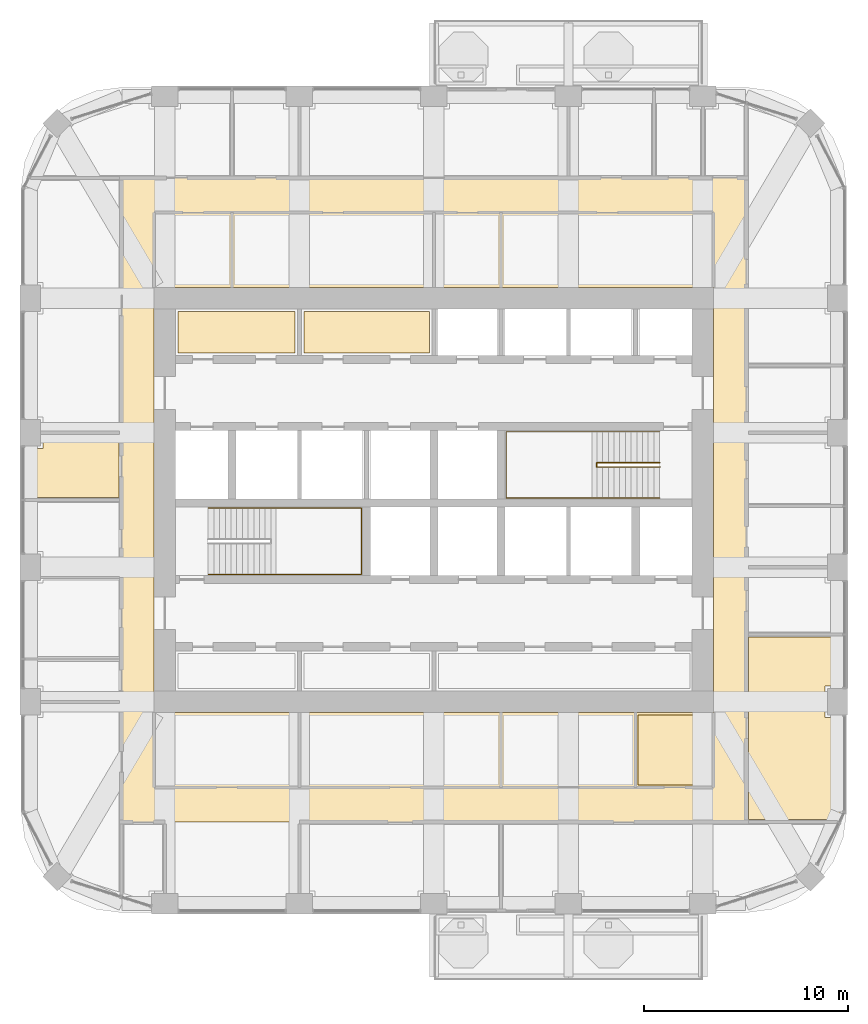
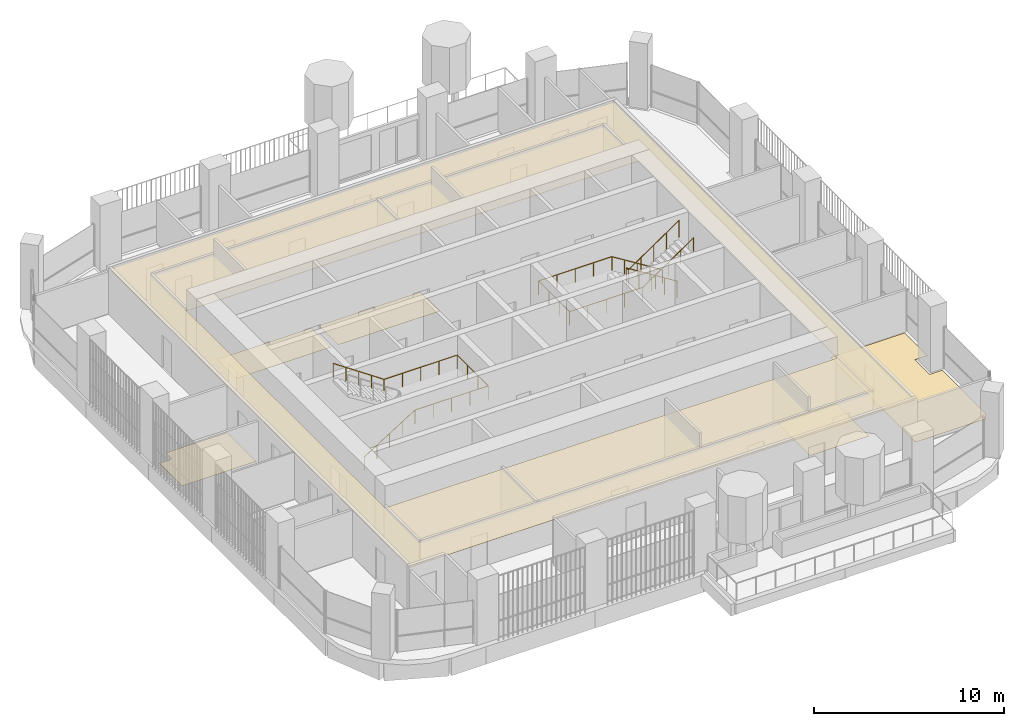
# One storey, part 19 of 21: 6 coverings, 3 railings.
"""IFC4 building model written with IfcOpenShell, lengths in metres."""

from ifc_helpers import new_model, si_unit, direction, frame, origin, place, context, subcontext, project, spatial, polyline, outline, extrude, material, layer, layer_set, type_object, element, save


model = new_model("IFC4")

# Units and contexts
model_context = context("Model", 3, precision=1e-05, world=origin(), true_north=direction((0.0, 1.0)))
body_context = subcontext(model_context, "Body", "Model", "MODEL_VIEW")
ifc_project = project(units=[si_unit("LENGTHUNIT", "METRE"), si_unit("AREAUNIT", "SQUARE_METRE"), si_unit("VOLUMEUNIT", "CUBIC_METRE"), si_unit("PLANEANGLEUNIT", "RADIAN"), si_unit("MASSUNIT", "GRAM", prefix="KILO")], contexts=[model_context])

# Site, building, storey
site_placement = place(None, origin())
site = spatial("IfcSite", under=ifc_project, at=site_placement, CompositionType="ELEMENT")
building_placement = place(site_placement, origin())
building = spatial("IfcBuilding", under=site, at=building_placement, Name="Cobogo Forest Laboratory Tower", CompositionType="ELEMENT")
storey_placement = place(building_placement, frame((0.0, 0.0, 250.199951171875)))
storey = spatial("IfcBuildingStorey", under=building, at=storey_placement, Name="L57", CompositionType="ELEMENT", Elevation=250.199951171875)

# Coverings
ifc_material_1 = material(Name="Mineral fibre ceiling tile", Category="ceiling")
ifc_layer_1 = layer(ifc_material_1, 0.02001953125)
ifc_layer_set_1 = layer_set([ifc_layer_1], Name="CL1 suspended ceiling")
covering_type_1 = type_object("IfcCoveringType", Name="CL1 suspended ceiling", PredefinedType="CEILING", material=ifc_layer_set_1)
covering_1_placement = place(storey_placement, frame((0.0, 0.0, 2.800048828125)))
element("IfcCovering", 1, at=covering_1_placement, inside=storey, type_object=covering_type_1, Name="Corridor ceiling L57", PredefinedType="CEILING", context=body_context, shape_type="SweptSolid", body=[
    extrude(outline(polyline([(11.074951171875, 7.300048828125), (11.074951171875, 38.89990234375), (41.72509765625, 38.89990234375), (41.72509765625, 7.300048828125), (11.074951171875, 7.300048828125)]), holes=[polyline([(40.125, 33.52490234375), (12.675048828125, 33.52490234375), (12.675048828125, 12.675048828125), (40.125, 12.675048828125), (40.125, 33.52490234375)])]), origin(), (0.0, 0.0, 1.0), 0.02001953125),
])
ifc_material_2 = material(Name="Carpet tile on raised access floor", Category="flooring")
ifc_layer_2 = layer(ifc_material_2, 0.008056640625)
ifc_layer_set_2 = layer_set([ifc_layer_2], Name="CT1 carpet tile floor 8")
covering_type_2 = type_object("IfcCoveringType", Name="CT1 carpet tile floor 8", PredefinedType="FLOORING", material=ifc_layer_set_2)
covering_2_placement = place(storey_placement, origin())
element("IfcCovering", 2, at=covering_2_placement, inside=storey, type_object=covering_type_2, Name="Carpet floor L57-08", PredefinedType="FLOORING", context=body_context, shape_type="SweptSolid", body=[
    extrude(outline(polyline([(40.0048828125, 9.1201171875), (36.419921875, 9.1201171875), (36.419921875, 12.554931640625), (40.0048828125, 12.554931640625), (40.0048828125, 9.1201171875)])), origin(), (0.0, 0.0, 1.0), 0.008056640625),
])
covering_3_placement = place(storey_placement, origin())
element("IfcCovering", 3, at=covering_3_placement, inside=storey, type_object=covering_type_2, Name="Carpet floor L57-12", PredefinedType="FLOORING", context=body_context, shape_type="SweptSolid", body=[
    extrude(outline(polyline([(41.844970703125, 16.3798828125), (46.35009765625, 16.3798828125), (46.35009765625, 13.969970703125), (45.580078125, 13.969970703125), (45.580078125, 12.429931640625), (46.35009765625, 12.429931640625), (46.35009765625, 7.84912109375), (46.125, 7.419921875), (41.844970703125, 7.419921875), (41.844970703125, 16.3798828125)])), origin(), (0.0, 0.0, 1.0), 0.008056640625),
])
covering_4_placement = place(storey_placement, origin())
element("IfcCovering", 4, at=covering_4_placement, inside=storey, type_object=covering_type_2, Name="Carpet floor L57-28", PredefinedType="FLOORING", context=body_context, shape_type="SweptSolid", body=[
    extrude(outline(polyline([(10.955078125, 23.219970703125), (6.449951171875, 23.219970703125), (6.449951171875, 25.6298828125), (7.219970703125, 25.6298828125), (7.219970703125, 26.280029296875), (10.955078125, 26.280029296875), (10.955078125, 23.219970703125)])), origin(), (0.0, 0.0, 1.0), 0.008056640625),
])
covering_5_placement = place(storey_placement, origin())
element("IfcCovering", 5, at=covering_5_placement, inside=storey, type_object=covering_type_2, Name="Carpet floor L57-40", PredefinedType="FLOORING", context=body_context, shape_type="SweptSolid", body=[
    extrude(outline(polyline([(19.580078125, 30.320068359375), (13.844970703125, 30.320068359375), (13.844970703125, 32.35498046875), (19.580078125, 32.35498046875), (19.580078125, 30.320068359375)])), origin(), (0.0, 0.0, 1.0), 0.008056640625),
])

# Railings
ifc_material_3 = material(Name="Steel balustrade", Category="steel")
railing_type_1 = type_object("IfcRailingType", Name="GR stair guard 1100", PredefinedType="GUARDRAIL", material=ifc_material_3)
railing_1_placement = place(storey_placement, frame((37.47509765625, 24.929931640625, 0.175048828125)))
element("IfcRailing", 6, at=railing_1_placement, inside=storey, type_object=railing_type_1, Name="Stair guard ST2 L57", PredefinedType="GUARDRAIL", context=body_context, shape_type="SweptSolid", body=[
    extrude(outline(polyline([(0.022216796875, 0.00927734375), (0.00927734375, 0.022216796875), (-0.00927734375, 0.022216796875), (-0.022216796875, 0.00927734375), (-0.022216796875, -0.00927734375), (-0.00927734375, -0.022216796875), (0.00927734375, -0.022216796875), (0.022216796875, -0.00927734375), (0.022216796875, 0.00927734375)])), frame((0.0, 0.0, 1.077880859375), z_axis=(-0.847998304005, 0.0, 0.529998940003), x_axis=(0.0, -1.0, 0.0)), (0.0, 0.0, 1.0), 3.632080078125),
    extrude(outline(polyline([(0.022216796875, 0.00927734375), (0.00927734375, 0.022216796875), (-0.00927734375, 0.022216796875), (-0.022216796875, 0.00927734375), (-0.022216796875, -0.00927734375), (-0.00927734375, -0.022216796875), (0.00927734375, -0.022216796875), (0.022216796875, -0.00927734375), (0.022216796875, 0.00927734375)])), frame((-3.080078125, 0.0, 3.0029296875), z_axis=(0.0, -1.0, 0.0), x_axis=(1.0, 0.0, 0.0)), (0.0, 0.0, 1.0), 0.2099609375),
    extrude(outline(polyline([(0.022216796875, 0.00927734375), (0.00927734375, 0.022216796875), (-0.00927734375, 0.022216796875), (-0.022216796875, 0.00927734375), (-0.022216796875, -0.00927734375), (-0.00927734375, -0.022216796875), (0.00927734375, -0.022216796875), (0.022216796875, -0.00927734375), (0.022216796875, 0.00927734375)])), frame((-3.080078125, -0.2099609375, 3.0029296875), z_axis=(0.826252282691, 0.0, 0.563300244406), x_axis=(0.0, 1.0, 0.0)), (0.0, 0.0, 1.0), 3.727783203125),
    extrude(outline(polyline([(0.019287109375, 0.008056640625), (0.008056640625, 0.019287109375), (-0.008056640625, 0.019287109375), (-0.019287109375, 0.008056640625), (-0.019287109375, -0.008056640625), (-0.008056640625, -0.019287109375), (0.008056640625, -0.019287109375), (0.019287109375, -0.008056640625), (0.019287109375, 0.008056640625)])), origin(), (0.0, 0.0, 1.0), 1.077880859375),
    extrude(outline(polyline([(0.019287109375, 0.008056640625), (0.008056640625, 0.019287109375), (-0.008056640625, 0.019287109375), (-0.019287109375, 0.008056640625), (-0.019287109375, -0.008056640625), (-0.008056640625, -0.019287109375), (0.008056640625, -0.019287109375), (0.019287109375, -0.008056640625), (0.019287109375, 0.008056640625)])), frame((-0.77001953125, 0.0, 0.481201171875)), (0.0, 0.0, 1.0), 1.077880859375),
    extrude(outline(polyline([(0.019287109375, 0.008056640625), (0.008056640625, 0.019287109375), (-0.008056640625, 0.019287109375), (-0.019287109375, 0.008056640625), (-0.019287109375, -0.008056640625), (-0.008056640625, -0.019287109375), (0.008056640625, -0.019287109375), (0.019287109375, -0.008056640625), (0.019287109375, 0.008056640625)])), frame((-1.5400390625, 0.0, 0.96240234375)), (0.0, 0.0, 1.0), 1.077880859375),
    extrude(outline(polyline([(0.019287109375, 0.008056640625), (0.008056640625, 0.019287109375), (-0.008056640625, 0.019287109375), (-0.019287109375, 0.008056640625), (-0.019287109375, -0.008056640625), (-0.008056640625, -0.019287109375), (0.008056640625, -0.019287109375), (0.019287109375, -0.008056640625), (0.019287109375, 0.008056640625)])), frame((-2.31005859375, 0.0, 1.44384765625)), (0.0, 0.0, 1.0), 1.077880859375),
    extrude(outline(polyline([(0.019287109375, 0.008056640625), (0.008056640625, 0.019287109375), (-0.008056640625, 0.019287109375), (-0.019287109375, 0.008056640625), (-0.019287109375, -0.008056640625), (-0.008056640625, -0.019287109375), (0.008056640625, -0.019287109375), (0.019287109375, -0.008056640625), (0.019287109375, 0.008056640625)])), frame((-3.080078125, 0.0, 1.925048828125)), (0.0, 0.0, 1.0), 1.077880859375),
    extrude(outline(polyline([(0.019287109375, 0.008056640625), (0.008056640625, 0.019287109375), (-0.008056640625, 0.019287109375), (-0.019287109375, 0.008056640625), (-0.019287109375, -0.008056640625), (-0.008056640625, -0.019287109375), (0.008056640625, -0.019287109375), (0.019287109375, -0.008056640625), (0.019287109375, 0.008056640625)])), frame((-3.080078125, -0.2099609375, 1.925048828125)), (0.0, 0.0, 1.0), 1.077880859375),
    extrude(outline(polyline([(0.019287109375, 0.008056640625), (0.008056640625, 0.019287109375), (-0.008056640625, 0.019287109375), (-0.019287109375, 0.008056640625), (-0.019287109375, -0.008056640625), (-0.008056640625, -0.019287109375), (0.008056640625, -0.019287109375), (0.019287109375, -0.008056640625), (0.019287109375, 0.008056640625)])), frame((-2.31005859375, -0.2099609375, 2.449951171875)), (0.0, 0.0, 1.0), 1.077880859375),
    extrude(outline(polyline([(0.019287109375, 0.008056640625), (0.008056640625, 0.019287109375), (-0.008056640625, 0.019287109375), (-0.019287109375, 0.008056640625), (-0.019287109375, -0.008056640625), (-0.008056640625, -0.019287109375), (0.008056640625, -0.019287109375), (0.019287109375, -0.008056640625), (0.019287109375, 0.008056640625)])), frame((-1.5400390625, -0.2099609375, 2.97509765625)), (0.0, 0.0, 1.0), 1.077880859375),
    extrude(outline(polyline([(0.019287109375, 0.008056640625), (0.008056640625, 0.019287109375), (-0.008056640625, 0.019287109375), (-0.019287109375, 0.008056640625), (-0.019287109375, -0.008056640625), (-0.008056640625, -0.019287109375), (0.008056640625, -0.019287109375), (0.019287109375, -0.008056640625), (0.019287109375, 0.008056640625)])), frame((-0.77001953125, -0.2099609375, 3.5)), (0.0, 0.0, 1.0), 1.077880859375),
    extrude(outline(polyline([(0.019287109375, 0.008056640625), (0.008056640625, 0.019287109375), (-0.008056640625, 0.019287109375), (-0.019287109375, 0.008056640625), (-0.019287109375, -0.008056640625), (-0.008056640625, -0.019287109375), (0.008056640625, -0.019287109375), (0.019287109375, -0.008056640625), (0.019287109375, 0.008056640625)])), frame((0.0, -0.2099609375, 4.02490234375)), (0.0, 0.0, 1.0), 1.077880859375),
])
ifc_material_4 = material(Name="Stainless steel handrail", Category="steel")
railing_type_2 = type_object("IfcRailingType", Name="HR handrail 900", PredefinedType="HANDRAIL", material=ifc_material_4)
railing_2_placement = place(storey_placement, frame((15.324951171875, 19.449951171875, 0.175048828125)))
element("IfcRailing", 7, at=railing_2_placement, inside=storey, type_object=railing_type_2, Name="Stair handrail ST1 L57", PredefinedType="HANDRAIL", context=body_context, shape_type="SweptSolid", body=[
    extrude(outline(polyline([(0.022216796875, 0.00927734375), (0.00927734375, 0.022216796875), (-0.00927734375, 0.022216796875), (-0.022216796875, 0.00927734375), (-0.022216796875, -0.00927734375), (-0.00927734375, -0.022216796875), (0.00927734375, -0.022216796875), (0.022216796875, -0.00927734375), (0.022216796875, 0.00927734375)])), frame((0.0, 0.0, 0.877685546875), z_axis=(0.847998304005, 0.0, 0.529998940003), x_axis=(0.0, 1.0, 0.0)), (0.0, 0.0, 1.0), 3.632080078125),
    extrude(outline(polyline([(0.022216796875, 0.00927734375), (0.00927734375, 0.022216796875), (-0.00927734375, 0.022216796875), (-0.022216796875, 0.00927734375), (-0.022216796875, -0.00927734375), (-0.00927734375, -0.022216796875), (0.00927734375, -0.022216796875), (0.022216796875, -0.00927734375), (0.022216796875, 0.00927734375)])), frame((3.080078125, 0.0, 2.802734375), z_axis=(1.0, 0.0, 0.0), x_axis=(0.0, 1.0, 0.0)), (0.0, 0.0, 1.0), 4.445068359375),
    extrude(outline(polyline([(0.022216796875, 0.00927734375), (0.00927734375, 0.022216796875), (-0.00927734375, 0.022216796875), (-0.022216796875, 0.00927734375), (-0.022216796875, -0.00927734375), (-0.00927734375, -0.022216796875), (0.00927734375, -0.022216796875), (0.022216796875, -0.00927734375), (0.022216796875, 0.00927734375)])), frame((7.525146484375, 0.0, 2.802734375), z_axis=(0.0, 1.0, 0.0), x_axis=(-1.0, 0.0, 0.0)), (0.0, 0.0, 1.0), 3.25),
    extrude(outline(polyline([(0.022216796875, 0.00927734375), (0.00927734375, 0.022216796875), (-0.00927734375, 0.022216796875), (-0.022216796875, 0.00927734375), (-0.022216796875, -0.00927734375), (-0.00927734375, -0.022216796875), (0.00927734375, -0.022216796875), (0.022216796875, -0.00927734375), (0.022216796875, 0.00927734375)])), frame((7.525146484375, 3.25, 2.802734375), z_axis=(-1.0, 0.0, 0.0), x_axis=(0.0, -1.0, 0.0)), (0.0, 0.0, 1.0), 4.445068359375),
    extrude(outline(polyline([(0.022216796875, 0.00927734375), (0.00927734375, 0.022216796875), (-0.00927734375, 0.022216796875), (-0.022216796875, 0.00927734375), (-0.022216796875, -0.00927734375), (-0.00927734375, -0.022216796875), (0.00927734375, -0.022216796875), (0.022216796875, -0.00927734375), (0.022216796875, 0.00927734375)])), frame((3.080078125, 3.25, 2.802734375), z_axis=(-0.826252282691, 0.0, 0.563300244406), x_axis=(0.0, -1.0, 0.0)), (0.0, 0.0, 1.0), 3.727783203125),
    extrude(outline(polyline([(0.019287109375, 0.008056640625), (0.008056640625, 0.019287109375), (-0.008056640625, 0.019287109375), (-0.019287109375, 0.008056640625), (-0.019287109375, -0.008056640625), (-0.008056640625, -0.019287109375), (0.008056640625, -0.019287109375), (0.019287109375, -0.008056640625), (0.019287109375, 0.008056640625)])), origin(), (0.0, 0.0, 1.0), 0.877685546875),
    extrude(outline(polyline([(0.019287109375, 0.008056640625), (0.008056640625, 0.019287109375), (-0.008056640625, 0.019287109375), (-0.019287109375, 0.008056640625), (-0.019287109375, -0.008056640625), (-0.008056640625, -0.019287109375), (0.008056640625, -0.019287109375), (0.019287109375, -0.008056640625), (0.019287109375, 0.008056640625)])), frame((0.77001953125, 0.0, 0.481201171875)), (0.0, 0.0, 1.0), 0.877685546875),
    extrude(outline(polyline([(0.019287109375, 0.008056640625), (0.008056640625, 0.019287109375), (-0.008056640625, 0.019287109375), (-0.019287109375, 0.008056640625), (-0.019287109375, -0.008056640625), (-0.008056640625, -0.019287109375), (0.008056640625, -0.019287109375), (0.019287109375, -0.008056640625), (0.019287109375, 0.008056640625)])), frame((1.5400390625, 0.0, 0.96240234375)), (0.0, 0.0, 1.0), 0.877685546875),
    extrude(outline(polyline([(0.019287109375, 0.008056640625), (0.008056640625, 0.019287109375), (-0.008056640625, 0.019287109375), (-0.019287109375, 0.008056640625), (-0.019287109375, -0.008056640625), (-0.008056640625, -0.019287109375), (0.008056640625, -0.019287109375), (0.019287109375, -0.008056640625), (0.019287109375, 0.008056640625)])), frame((2.31005859375, 0.0, 1.44384765625)), (0.0, 0.0, 1.0), 0.877685546875),
    extrude(outline(polyline([(0.019287109375, 0.008056640625), (0.008056640625, 0.019287109375), (-0.008056640625, 0.019287109375), (-0.019287109375, 0.008056640625), (-0.019287109375, -0.008056640625), (-0.008056640625, -0.019287109375), (0.008056640625, -0.019287109375), (0.019287109375, -0.008056640625), (0.019287109375, 0.008056640625)])), frame((3.080078125, 0.0, 1.925048828125)), (0.0, 0.0, 1.0), 0.877685546875),
    extrude(outline(polyline([(0.019287109375, 0.008056640625), (0.008056640625, 0.019287109375), (-0.008056640625, 0.019287109375), (-0.019287109375, 0.008056640625), (-0.019287109375, -0.008056640625), (-0.008056640625, -0.019287109375), (0.008056640625, -0.019287109375), (0.019287109375, -0.008056640625), (0.019287109375, 0.008056640625)])), frame((4.19140625, 0.0, 1.925048828125)), (0.0, 0.0, 1.0), 0.877685546875),
    extrude(outline(polyline([(0.019287109375, 0.008056640625), (0.008056640625, 0.019287109375), (-0.008056640625, 0.019287109375), (-0.019287109375, 0.008056640625), (-0.019287109375, -0.008056640625), (-0.008056640625, -0.019287109375), (0.008056640625, -0.019287109375), (0.019287109375, -0.008056640625), (0.019287109375, 0.008056640625)])), frame((5.302734375, 0.0, 1.925048828125)), (0.0, 0.0, 1.0), 0.877685546875),
    extrude(outline(polyline([(0.019287109375, 0.008056640625), (0.008056640625, 0.019287109375), (-0.008056640625, 0.019287109375), (-0.019287109375, 0.008056640625), (-0.019287109375, -0.008056640625), (-0.008056640625, -0.019287109375), (0.008056640625, -0.019287109375), (0.019287109375, -0.008056640625), (0.019287109375, 0.008056640625)])), frame((6.413818359375, 0.0, 1.925048828125)), (0.0, 0.0, 1.0), 0.877685546875),
    extrude(outline(polyline([(0.019287109375, 0.008056640625), (0.008056640625, 0.019287109375), (-0.008056640625, 0.019287109375), (-0.019287109375, 0.008056640625), (-0.019287109375, -0.008056640625), (-0.008056640625, -0.019287109375), (0.008056640625, -0.019287109375), (0.019287109375, -0.008056640625), (0.019287109375, 0.008056640625)])), frame((7.525146484375, 0.0, 1.925048828125)), (0.0, 0.0, 1.0), 0.877685546875),
    extrude(outline(polyline([(0.019287109375, 0.008056640625), (0.008056640625, 0.019287109375), (-0.008056640625, 0.019287109375), (-0.019287109375, 0.008056640625), (-0.019287109375, -0.008056640625), (-0.008056640625, -0.019287109375), (0.008056640625, -0.019287109375), (0.019287109375, -0.008056640625), (0.019287109375, 0.008056640625)])), frame((7.525146484375, 1.083251953125, 1.925048828125)), (0.0, 0.0, 1.0), 0.877685546875),
    extrude(outline(polyline([(0.019287109375, 0.008056640625), (0.008056640625, 0.019287109375), (-0.008056640625, 0.019287109375), (-0.019287109375, 0.008056640625), (-0.019287109375, -0.008056640625), (-0.008056640625, -0.019287109375), (0.008056640625, -0.019287109375), (0.019287109375, -0.008056640625), (0.019287109375, 0.008056640625)])), frame((7.525146484375, 2.166748046875, 1.925048828125)), (0.0, 0.0, 1.0), 0.877685546875),
    extrude(outline(polyline([(0.019287109375, 0.008056640625), (0.008056640625, 0.019287109375), (-0.008056640625, 0.019287109375), (-0.019287109375, 0.008056640625), (-0.019287109375, -0.008056640625), (-0.008056640625, -0.019287109375), (0.008056640625, -0.019287109375), (0.019287109375, -0.008056640625), (0.019287109375, 0.008056640625)])), frame((7.525146484375, 3.25, 1.925048828125)), (0.0, 0.0, 1.0), 0.877685546875),
    extrude(outline(polyline([(0.019287109375, 0.008056640625), (0.008056640625, 0.019287109375), (-0.008056640625, 0.019287109375), (-0.019287109375, 0.008056640625), (-0.019287109375, -0.008056640625), (-0.008056640625, -0.019287109375), (0.008056640625, -0.019287109375), (0.019287109375, -0.008056640625), (0.019287109375, 0.008056640625)])), frame((6.413818359375, 3.25, 1.925048828125)), (0.0, 0.0, 1.0), 0.877685546875),
    extrude(outline(polyline([(0.019287109375, 0.008056640625), (0.008056640625, 0.019287109375), (-0.008056640625, 0.019287109375), (-0.019287109375, 0.008056640625), (-0.019287109375, -0.008056640625), (-0.008056640625, -0.019287109375), (0.008056640625, -0.019287109375), (0.019287109375, -0.008056640625), (0.019287109375, 0.008056640625)])), frame((5.302734375, 3.25, 1.925048828125)), (0.0, 0.0, 1.0), 0.877685546875),
    extrude(outline(polyline([(0.019287109375, 0.008056640625), (0.008056640625, 0.019287109375), (-0.008056640625, 0.019287109375), (-0.019287109375, 0.008056640625), (-0.019287109375, -0.008056640625), (-0.008056640625, -0.019287109375), (0.008056640625, -0.019287109375), (0.019287109375, -0.008056640625), (0.019287109375, 0.008056640625)])), frame((4.19140625, 3.25, 1.925048828125)), (0.0, 0.0, 1.0), 0.877685546875),
    extrude(outline(polyline([(0.019287109375, 0.008056640625), (0.008056640625, 0.019287109375), (-0.008056640625, 0.019287109375), (-0.019287109375, 0.008056640625), (-0.019287109375, -0.008056640625), (-0.008056640625, -0.019287109375), (0.008056640625, -0.019287109375), (0.019287109375, -0.008056640625), (0.019287109375, 0.008056640625)])), frame((3.080078125, 3.25, 1.925048828125)), (0.0, 0.0, 1.0), 0.877685546875),
    extrude(outline(polyline([(0.019287109375, 0.008056640625), (0.008056640625, 0.019287109375), (-0.008056640625, 0.019287109375), (-0.019287109375, 0.008056640625), (-0.019287109375, -0.008056640625), (-0.008056640625, -0.019287109375), (0.008056640625, -0.019287109375), (0.019287109375, -0.008056640625), (0.019287109375, 0.008056640625)])), frame((2.31005859375, 3.25, 2.449951171875)), (0.0, 0.0, 1.0), 0.877685546875),
    extrude(outline(polyline([(0.019287109375, 0.008056640625), (0.008056640625, 0.019287109375), (-0.008056640625, 0.019287109375), (-0.019287109375, 0.008056640625), (-0.019287109375, -0.008056640625), (-0.008056640625, -0.019287109375), (0.008056640625, -0.019287109375), (0.019287109375, -0.008056640625), (0.019287109375, 0.008056640625)])), frame((1.5400390625, 3.25, 2.97509765625)), (0.0, 0.0, 1.0), 0.877685546875),
    extrude(outline(polyline([(0.019287109375, 0.008056640625), (0.008056640625, 0.019287109375), (-0.008056640625, 0.019287109375), (-0.019287109375, 0.008056640625), (-0.019287109375, -0.008056640625), (-0.008056640625, -0.019287109375), (0.008056640625, -0.019287109375), (0.019287109375, -0.008056640625), (0.019287109375, 0.008056640625)])), frame((0.77001953125, 3.25, 3.5)), (0.0, 0.0, 1.0), 0.877685546875),
    extrude(outline(polyline([(0.019287109375, 0.008056640625), (0.008056640625, 0.019287109375), (-0.008056640625, 0.019287109375), (-0.019287109375, 0.008056640625), (-0.019287109375, -0.008056640625), (-0.008056640625, -0.019287109375), (0.008056640625, -0.019287109375), (0.019287109375, -0.008056640625), (0.019287109375, 0.008056640625)])), frame((0.0, 3.25, 4.02490234375)), (0.0, 0.0, 1.0), 0.877685546875),
])
railing_3_placement = place(storey_placement, frame((37.47509765625, 26.449951171875, 0.175048828125)))
element("IfcRailing", 8, at=railing_3_placement, inside=storey, type_object=railing_type_2, Name="Stair handrail ST2 L57", PredefinedType="HANDRAIL", context=body_context, shape_type="SweptSolid", body=[
    extrude(outline(polyline([(0.022216796875, 0.00927734375), (0.00927734375, 0.022216796875), (-0.00927734375, 0.022216796875), (-0.022216796875, 0.00927734375), (-0.022216796875, -0.00927734375), (-0.00927734375, -0.022216796875), (0.00927734375, -0.022216796875), (0.022216796875, -0.00927734375), (0.022216796875, 0.00927734375)])), frame((0.0, 0.0, 0.877685546875), z_axis=(-0.847998304005, 0.0, 0.529998940003), x_axis=(0.0, -1.0, 0.0)), (0.0, 0.0, 1.0), 3.632080078125),
    extrude(outline(polyline([(0.022216796875, 0.00927734375), (0.00927734375, 0.022216796875), (-0.00927734375, 0.022216796875), (-0.022216796875, 0.00927734375), (-0.022216796875, -0.00927734375), (-0.00927734375, -0.022216796875), (0.00927734375, -0.022216796875), (0.022216796875, -0.00927734375), (0.022216796875, 0.00927734375)])), frame((-3.080078125, 0.0, 2.802734375), z_axis=(-1.0, 0.0, 0.0), x_axis=(0.0, -1.0, 0.0)), (0.0, 0.0, 1.0), 4.445068359375),
    extrude(outline(polyline([(0.022216796875, 0.00927734375), (0.00927734375, 0.022216796875), (-0.00927734375, 0.022216796875), (-0.022216796875, 0.00927734375), (-0.022216796875, -0.00927734375), (-0.00927734375, -0.022216796875), (0.00927734375, -0.022216796875), (0.022216796875, -0.00927734375), (0.022216796875, 0.00927734375)])), frame((-7.525146484375, 0.0, 2.802734375), z_axis=(0.0, -1.0, 0.0), x_axis=(1.0, 0.0, 0.0)), (0.0, 0.0, 1.0), 3.25),
    extrude(outline(polyline([(0.022216796875, 0.00927734375), (0.00927734375, 0.022216796875), (-0.00927734375, 0.022216796875), (-0.022216796875, 0.00927734375), (-0.022216796875, -0.00927734375), (-0.00927734375, -0.022216796875), (0.00927734375, -0.022216796875), (0.022216796875, -0.00927734375), (0.022216796875, 0.00927734375)])), frame((-7.525146484375, -3.25, 2.802734375), z_axis=(1.0, 0.0, 0.0), x_axis=(0.0, 1.0, 0.0)), (0.0, 0.0, 1.0), 4.445068359375),
    extrude(outline(polyline([(0.022216796875, 0.00927734375), (0.00927734375, 0.022216796875), (-0.00927734375, 0.022216796875), (-0.022216796875, 0.00927734375), (-0.022216796875, -0.00927734375), (-0.00927734375, -0.022216796875), (0.00927734375, -0.022216796875), (0.022216796875, -0.00927734375), (0.022216796875, 0.00927734375)])), frame((-3.080078125, -3.25, 2.802734375), z_axis=(0.826252282691, 0.0, 0.563300244406), x_axis=(0.0, 1.0, 0.0)), (0.0, 0.0, 1.0), 3.727783203125),
    extrude(outline(polyline([(0.019287109375, 0.008056640625), (0.008056640625, 0.019287109375), (-0.008056640625, 0.019287109375), (-0.019287109375, 0.008056640625), (-0.019287109375, -0.008056640625), (-0.008056640625, -0.019287109375), (0.008056640625, -0.019287109375), (0.019287109375, -0.008056640625), (0.019287109375, 0.008056640625)])), origin(), (0.0, 0.0, 1.0), 0.877685546875),
    extrude(outline(polyline([(0.019287109375, 0.008056640625), (0.008056640625, 0.019287109375), (-0.008056640625, 0.019287109375), (-0.019287109375, 0.008056640625), (-0.019287109375, -0.008056640625), (-0.008056640625, -0.019287109375), (0.008056640625, -0.019287109375), (0.019287109375, -0.008056640625), (0.019287109375, 0.008056640625)])), frame((-0.77001953125, 0.0, 0.481201171875)), (0.0, 0.0, 1.0), 0.877685546875),
    extrude(outline(polyline([(0.019287109375, 0.008056640625), (0.008056640625, 0.019287109375), (-0.008056640625, 0.019287109375), (-0.019287109375, 0.008056640625), (-0.019287109375, -0.008056640625), (-0.008056640625, -0.019287109375), (0.008056640625, -0.019287109375), (0.019287109375, -0.008056640625), (0.019287109375, 0.008056640625)])), frame((-1.5400390625, 0.0, 0.96240234375)), (0.0, 0.0, 1.0), 0.877685546875),
    extrude(outline(polyline([(0.019287109375, 0.008056640625), (0.008056640625, 0.019287109375), (-0.008056640625, 0.019287109375), (-0.019287109375, 0.008056640625), (-0.019287109375, -0.008056640625), (-0.008056640625, -0.019287109375), (0.008056640625, -0.019287109375), (0.019287109375, -0.008056640625), (0.019287109375, 0.008056640625)])), frame((-2.31005859375, 0.0, 1.44384765625)), (0.0, 0.0, 1.0), 0.877685546875),
    extrude(outline(polyline([(0.019287109375, 0.008056640625), (0.008056640625, 0.019287109375), (-0.008056640625, 0.019287109375), (-0.019287109375, 0.008056640625), (-0.019287109375, -0.008056640625), (-0.008056640625, -0.019287109375), (0.008056640625, -0.019287109375), (0.019287109375, -0.008056640625), (0.019287109375, 0.008056640625)])), frame((-3.080078125, 0.0, 1.925048828125)), (0.0, 0.0, 1.0), 0.877685546875),
    extrude(outline(polyline([(0.019287109375, 0.008056640625), (0.008056640625, 0.019287109375), (-0.008056640625, 0.019287109375), (-0.019287109375, 0.008056640625), (-0.019287109375, -0.008056640625), (-0.008056640625, -0.019287109375), (0.008056640625, -0.019287109375), (0.019287109375, -0.008056640625), (0.019287109375, 0.008056640625)])), frame((-4.19140625, 0.0, 1.925048828125)), (0.0, 0.0, 1.0), 0.877685546875),
    extrude(outline(polyline([(0.019287109375, 0.008056640625), (0.008056640625, 0.019287109375), (-0.008056640625, 0.019287109375), (-0.019287109375, 0.008056640625), (-0.019287109375, -0.008056640625), (-0.008056640625, -0.019287109375), (0.008056640625, -0.019287109375), (0.019287109375, -0.008056640625), (0.019287109375, 0.008056640625)])), frame((-5.302734375, 0.0, 1.925048828125)), (0.0, 0.0, 1.0), 0.877685546875),
    extrude(outline(polyline([(0.019287109375, 0.008056640625), (0.008056640625, 0.019287109375), (-0.008056640625, 0.019287109375), (-0.019287109375, 0.008056640625), (-0.019287109375, -0.008056640625), (-0.008056640625, -0.019287109375), (0.008056640625, -0.019287109375), (0.019287109375, -0.008056640625), (0.019287109375, 0.008056640625)])), frame((-6.413818359375, 0.0, 1.925048828125)), (0.0, 0.0, 1.0), 0.877685546875),
    extrude(outline(polyline([(0.019287109375, 0.008056640625), (0.008056640625, 0.019287109375), (-0.008056640625, 0.019287109375), (-0.019287109375, 0.008056640625), (-0.019287109375, -0.008056640625), (-0.008056640625, -0.019287109375), (0.008056640625, -0.019287109375), (0.019287109375, -0.008056640625), (0.019287109375, 0.008056640625)])), frame((-7.525146484375, 0.0, 1.925048828125)), (0.0, 0.0, 1.0), 0.877685546875),
    extrude(outline(polyline([(0.019287109375, 0.008056640625), (0.008056640625, 0.019287109375), (-0.008056640625, 0.019287109375), (-0.019287109375, 0.008056640625), (-0.019287109375, -0.008056640625), (-0.008056640625, -0.019287109375), (0.008056640625, -0.019287109375), (0.019287109375, -0.008056640625), (0.019287109375, 0.008056640625)])), frame((-7.525146484375, -1.083251953125, 1.925048828125)), (0.0, 0.0, 1.0), 0.877685546875),
    extrude(outline(polyline([(0.019287109375, 0.008056640625), (0.008056640625, 0.019287109375), (-0.008056640625, 0.019287109375), (-0.019287109375, 0.008056640625), (-0.019287109375, -0.008056640625), (-0.008056640625, -0.019287109375), (0.008056640625, -0.019287109375), (0.019287109375, -0.008056640625), (0.019287109375, 0.008056640625)])), frame((-7.525146484375, -2.166748046875, 1.925048828125)), (0.0, 0.0, 1.0), 0.877685546875),
    extrude(outline(polyline([(0.019287109375, 0.008056640625), (0.008056640625, 0.019287109375), (-0.008056640625, 0.019287109375), (-0.019287109375, 0.008056640625), (-0.019287109375, -0.008056640625), (-0.008056640625, -0.019287109375), (0.008056640625, -0.019287109375), (0.019287109375, -0.008056640625), (0.019287109375, 0.008056640625)])), frame((-7.525146484375, -3.25, 1.925048828125)), (0.0, 0.0, 1.0), 0.877685546875),
    extrude(outline(polyline([(0.019287109375, 0.008056640625), (0.008056640625, 0.019287109375), (-0.008056640625, 0.019287109375), (-0.019287109375, 0.008056640625), (-0.019287109375, -0.008056640625), (-0.008056640625, -0.019287109375), (0.008056640625, -0.019287109375), (0.019287109375, -0.008056640625), (0.019287109375, 0.008056640625)])), frame((-6.413818359375, -3.25, 1.925048828125)), (0.0, 0.0, 1.0), 0.877685546875),
    extrude(outline(polyline([(0.019287109375, 0.008056640625), (0.008056640625, 0.019287109375), (-0.008056640625, 0.019287109375), (-0.019287109375, 0.008056640625), (-0.019287109375, -0.008056640625), (-0.008056640625, -0.019287109375), (0.008056640625, -0.019287109375), (0.019287109375, -0.008056640625), (0.019287109375, 0.008056640625)])), frame((-5.302734375, -3.25, 1.925048828125)), (0.0, 0.0, 1.0), 0.877685546875),
    extrude(outline(polyline([(0.019287109375, 0.008056640625), (0.008056640625, 0.019287109375), (-0.008056640625, 0.019287109375), (-0.019287109375, 0.008056640625), (-0.019287109375, -0.008056640625), (-0.008056640625, -0.019287109375), (0.008056640625, -0.019287109375), (0.019287109375, -0.008056640625), (0.019287109375, 0.008056640625)])), frame((-4.19140625, -3.25, 1.925048828125)), (0.0, 0.0, 1.0), 0.877685546875),
    extrude(outline(polyline([(0.019287109375, 0.008056640625), (0.008056640625, 0.019287109375), (-0.008056640625, 0.019287109375), (-0.019287109375, 0.008056640625), (-0.019287109375, -0.008056640625), (-0.008056640625, -0.019287109375), (0.008056640625, -0.019287109375), (0.019287109375, -0.008056640625), (0.019287109375, 0.008056640625)])), frame((-3.080078125, -3.25, 1.925048828125)), (0.0, 0.0, 1.0), 0.877685546875),
    extrude(outline(polyline([(0.019287109375, 0.008056640625), (0.008056640625, 0.019287109375), (-0.008056640625, 0.019287109375), (-0.019287109375, 0.008056640625), (-0.019287109375, -0.008056640625), (-0.008056640625, -0.019287109375), (0.008056640625, -0.019287109375), (0.019287109375, -0.008056640625), (0.019287109375, 0.008056640625)])), frame((-2.31005859375, -3.25, 2.449951171875)), (0.0, 0.0, 1.0), 0.877685546875),
    extrude(outline(polyline([(0.019287109375, 0.008056640625), (0.008056640625, 0.019287109375), (-0.008056640625, 0.019287109375), (-0.019287109375, 0.008056640625), (-0.019287109375, -0.008056640625), (-0.008056640625, -0.019287109375), (0.008056640625, -0.019287109375), (0.019287109375, -0.008056640625), (0.019287109375, 0.008056640625)])), frame((-1.5400390625, -3.25, 2.97509765625)), (0.0, 0.0, 1.0), 0.877685546875),
    extrude(outline(polyline([(0.019287109375, 0.008056640625), (0.008056640625, 0.019287109375), (-0.008056640625, 0.019287109375), (-0.019287109375, 0.008056640625), (-0.019287109375, -0.008056640625), (-0.008056640625, -0.019287109375), (0.008056640625, -0.019287109375), (0.019287109375, -0.008056640625), (0.019287109375, 0.008056640625)])), frame((-0.77001953125, -3.25, 3.5)), (0.0, 0.0, 1.0), 0.877685546875),
    extrude(outline(polyline([(0.019287109375, 0.008056640625), (0.008056640625, 0.019287109375), (-0.008056640625, 0.019287109375), (-0.019287109375, 0.008056640625), (-0.019287109375, -0.008056640625), (-0.008056640625, -0.019287109375), (0.008056640625, -0.019287109375), (0.019287109375, -0.008056640625), (0.019287109375, 0.008056640625)])), frame((0.0, -3.25, 4.02490234375)), (0.0, 0.0, 1.0), 0.877685546875),
])

# Covering
ifc_material_5 = material(Name="Ceramic floor tile", Category="flooring")
ifc_layer_3 = layer(ifc_material_5, 0.010009765625)
ifc_layer_set_3 = layer_set([ifc_layer_3], Name="TF1 ceramic tile floor 10")
covering_type_3 = type_object("IfcCoveringType", Name="TF1 ceramic tile floor 10", PredefinedType="FLOORING", material=ifc_layer_set_3)
covering_6_placement = place(storey_placement, origin())
element("IfcCovering", 9, at=covering_6_placement, inside=storey, type_object=covering_type_3, Name="Tile floor L57-41", PredefinedType="FLOORING", context=body_context, shape_type="SweptSolid", body=[
    extrude(outline(polyline([(26.179931640625, 30.320068359375), (20.02001953125, 30.320068359375), (20.02001953125, 32.35498046875), (26.179931640625, 32.35498046875), (26.179931640625, 30.320068359375)])), origin(), (0.0, 0.0, 1.0), 0.010009765625),
])

save(model, "model.ifc")
